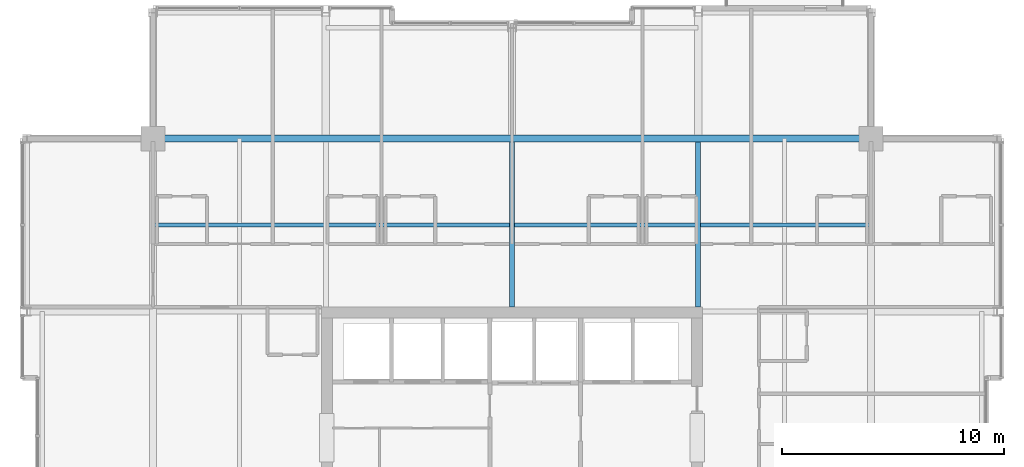
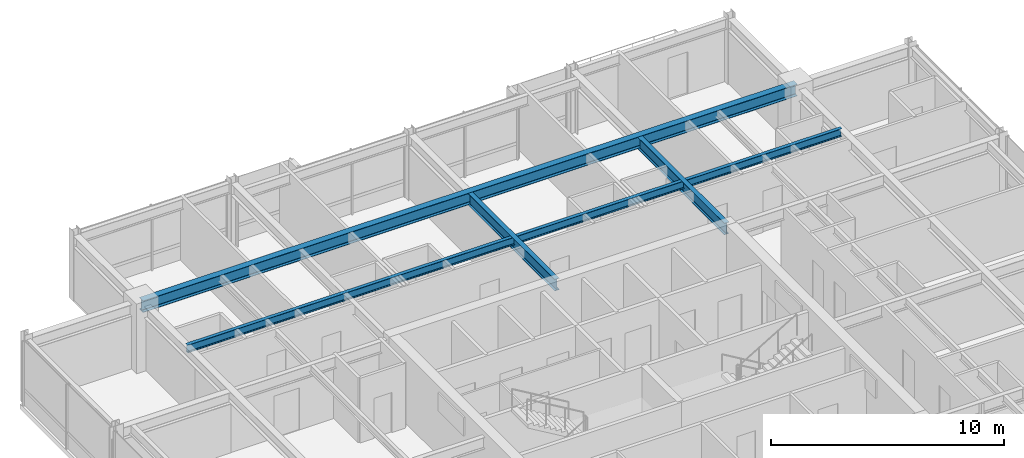
# One storey, part 19 of 32: 4 beams.
"""IFC4 building model written with IfcOpenShell, lengths in metres."""

from ifc_helpers import new_model, si_unit, direction, frame, origin, origin_2d, place, context, subcontext, project, spatial, i_section, extrude, material, material_profile, profile_set, type_object, element, save


model = new_model("IFC4")

# Units and contexts
model_context = context("Model", 3, precision=1e-05, world=origin(), true_north=direction((0.0, 1.0)))
body_context = subcontext(model_context, "Body", "Model", "MODEL_VIEW")
ifc_project = project(units=[si_unit("LENGTHUNIT", "METRE"), si_unit("AREAUNIT", "SQUARE_METRE"), si_unit("VOLUMEUNIT", "CUBIC_METRE"), si_unit("PLANEANGLEUNIT", "RADIAN"), si_unit("MASSUNIT", "GRAM", prefix="KILO")], contexts=[model_context])

# Site, building, storey
site_placement = place(None, origin())
site = spatial("IfcSite", under=ifc_project, at=site_placement, CompositionType="ELEMENT")
building_placement = place(site_placement, origin())
building = spatial("IfcBuilding", under=site, at=building_placement, Name="Drelvath Grand Hotel", CompositionType="ELEMENT")
storey_placement = place(building_placement, frame((0.0, 0.0, 265.0)))
storey = spatial("IfcBuildingStorey", under=building, at=storey_placement, Name="L69", CompositionType="ELEMENT", Elevation=265.0)

# Beams
ifc_material = material(Name="Steel ASTM A992 Gr 50", Category="steel")
ifc_material_profile_1 = material_profile(ifc_material, i_section(OverallWidth=0.177734375, OverallDepth=0.40673828125, WebThickness=0.0078125, FlangeThickness=0.0126953125, FilletRadius=0.014892578125, at=origin_2d()), Name="W16X40")
ifc_profile_set_1 = profile_set([ifc_material_profile_1], Name="Steel ASTM A992 Gr 50")
beam_type_1 = type_object("IfcBeamType", Name="Composite Floor Joist W16X40", PredefinedType="JOIST", material=ifc_profile_set_1)
beam_1_placement = place(storey_placement, frame((-16.199951171875, 39.300048828125, 3.1865234375), z_axis=(1.0, 0.0, 0.0), x_axis=(0.0, 1.0, 0.0)))
element("IfcBeam", 1, at=beam_1_placement, inside=storey, type_object=beam_type_1, Name="L69 Floor Joist J2", PredefinedType="JOIST", context=body_context, shape_type="SweptSolid", body=[
    extrude(i_section(OverallWidth=0.177734375, OverallDepth=0.40673828125, WebThickness=0.0078125, FlangeThickness=0.0126953125, FilletRadius=0.014892578125, at=origin_2d()), origin(), (0.0, 0.0, 1.0), 32.39990234375),
])
ifc_material_profile_2 = material_profile(ifc_material, i_section(OverallWidth=0.323974609375, OverallDepth=0.611083984375, WebThickness=0.0126953125, FlangeThickness=0.01904296875, FilletRadius=0.02197265625, at=origin_2d()), Name="W24X104")
ifc_profile_set_2 = profile_set([ifc_material_profile_2], Name="Steel ASTM A992 Gr 50")
beam_type_2 = type_object("IfcBeamType", Name="Primary Floor Girder W24X104", PredefinedType="BEAM", material=ifc_profile_set_2)
beam_2_placement = place(storey_placement, frame((-16.199951171875, 43.199951171875, 3.08447265625), z_axis=(1.0, 0.0, 0.0), x_axis=(0.0, 1.0, 0.0)))
element("IfcBeam", 2, at=beam_2_placement, inside=storey, type_object=beam_type_2, Name="L69 Mega Ring Girder North", PredefinedType="BEAM", context=body_context, shape_type="SweptSolid", body=[
    extrude(i_section(OverallWidth=0.323974609375, OverallDepth=0.611083984375, WebThickness=0.0126953125, FlangeThickness=0.01904296875, FilletRadius=0.02197265625, at=origin_2d()), origin(), (0.0, 0.0, 1.0), 32.39990234375),
])
ifc_material_profile_3 = material_profile(ifc_material, i_section(OverallWidth=0.228271484375, OverallDepth=0.607666015625, WebThickness=0.01123046875, FlangeThickness=0.017333984375, FilletRadius=0.02001953125, at=origin_2d()), Name="W24X76")
ifc_profile_set_3 = profile_set([ifc_material_profile_3], Name="Steel ASTM A992 Gr 50")
beam_type_3 = type_object("IfcBeamType", Name="Primary Floor Girder W24X76", PredefinedType="BEAM", material=ifc_profile_set_3)
for number, where, z_axis, x_axis, name in (
    (3, (0.0, 35.60009765625, 3.086181640625), (0.0, 1.0, 0.0), (-1.0, 0.0, 0.0), "L69 North Core Tie 5"),
    (4, (8.39990234375, 35.60009765625, 3.086181640625), (0.0, 1.0, 0.0), (-1.0, 0.0, 0.0), "L69 North Core Tie 6"),
):
    element("IfcBeam", number, at=place(storey_placement, frame(where, z_axis=z_axis, x_axis=x_axis)), inside=storey, type_object=beam_type_3, Name=name, PredefinedType="BEAM", context=body_context, shape_type="SweptSolid", body=[
        extrude(i_section(OverallWidth=0.228271484375, OverallDepth=0.607666015625, WebThickness=0.01123046875, FlangeThickness=0.017333984375, FilletRadius=0.02001953125, at=origin_2d()), origin(), (0.0, 0.0, 1.0), 7.43798828125),
    ])

save(model, "model.ifc")
